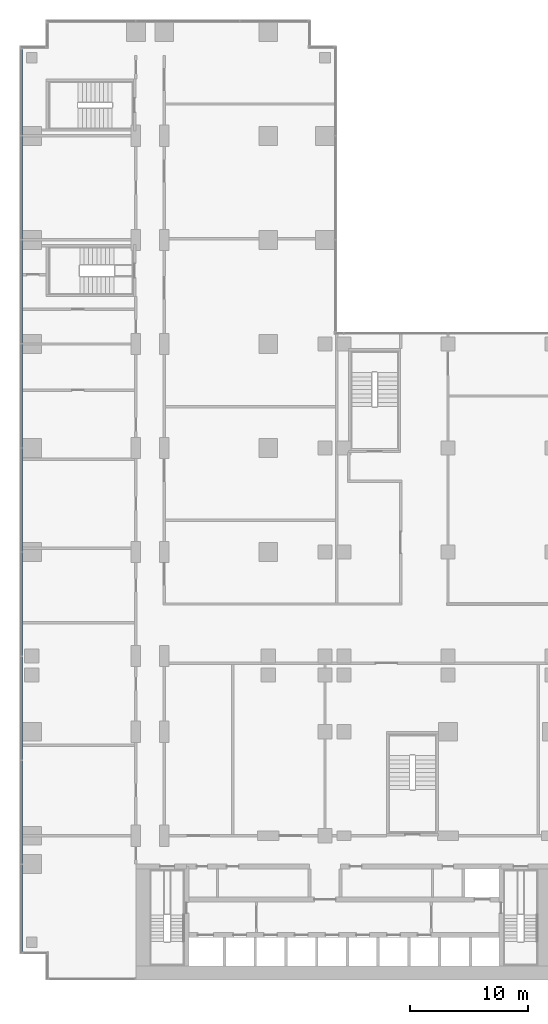
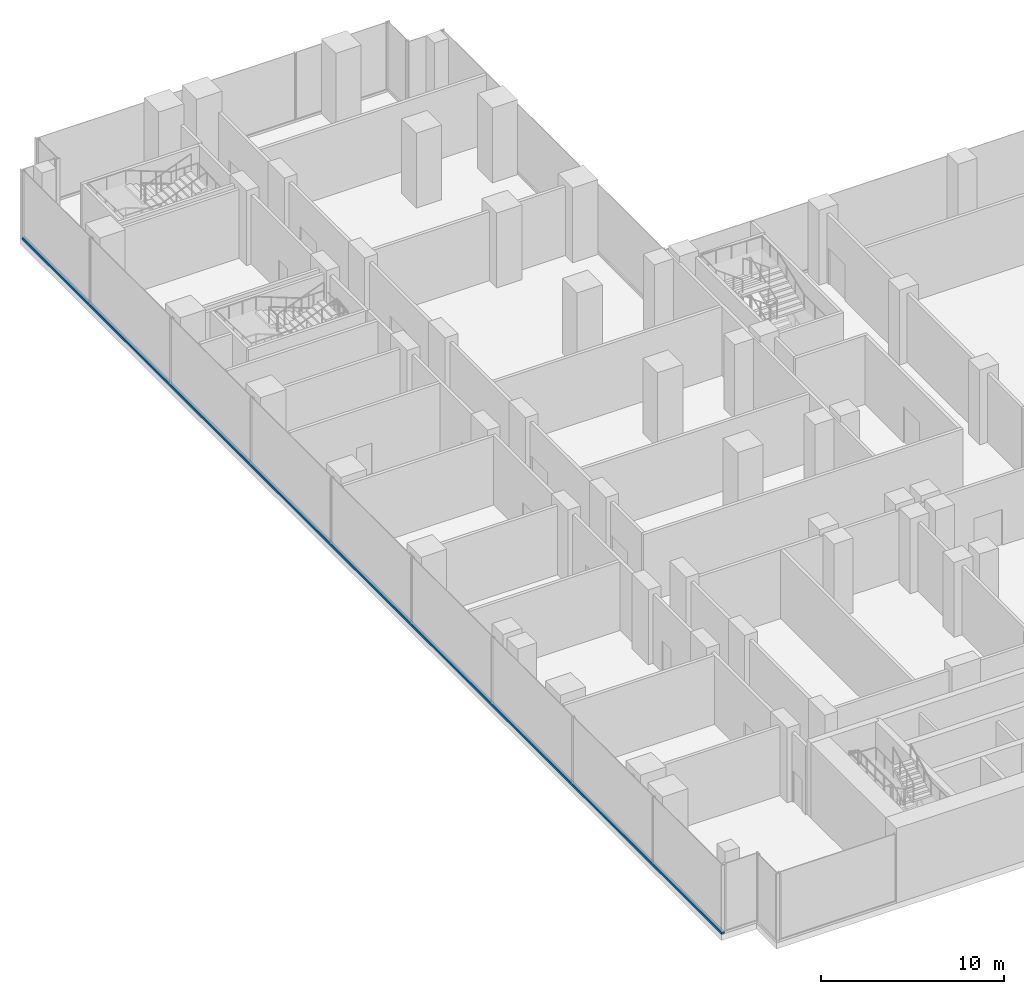
# One storey, part 6 of 30: 1 member, 1 element without a shape of its own.
"""IFC4 building model written with IfcOpenShell, lengths in metres."""

from ifc_helpers import new_model, si_unit, direction, frame, origin, origin_2d, place, context, subcontext, project, spatial, rectangle, extrude, material, material_profile, profile_set, type_object, element, aggregate, save


model = new_model("IFC4")

# Units and contexts
model_context = context("Model", 3, precision=1e-05, world=origin(), true_north=direction((0.0, 1.0)))
body_context = subcontext(model_context, "Body", "Model", "MODEL_VIEW")
ifc_project = project(units=[si_unit("LENGTHUNIT", "METRE"), si_unit("AREAUNIT", "SQUARE_METRE"), si_unit("VOLUMEUNIT", "CUBIC_METRE"), si_unit("PLANEANGLEUNIT", "RADIAN"), si_unit("MASSUNIT", "GRAM", prefix="KILO")], contexts=[model_context])

# Site, building, storey
site_placement = place(None, origin())
site = spatial("IfcSite", under=ifc_project, at=site_placement, CompositionType="ELEMENT")
building_placement = place(site_placement, origin())
building = spatial("IfcBuilding", under=site, at=building_placement, Name="Kemantara Hotel Tower", CompositionType="ELEMENT")
storey_placement = place(building_placement, frame((0.0, 0.0, 13.0)))
storey = spatial("IfcBuildingStorey", under=building, at=storey_placement, Name="L02", CompositionType="ELEMENT", Elevation=13.0)

# Curtain wall, member
ifc_material_1 = material(Name="Laminated tinted insulated glass 44 mm", Category="glass")
curtain_wall_type = type_object("IfcCurtainWallType", Name="PODIUM GLASS CURTAIN WALL", PredefinedType="USERDEFINED", material=ifc_material_1)
curtain_wall_placement = place(storey_placement, origin())
curtain_wall = element("IfcCurtainWall", 1, at=curtain_wall_placement, inside=storey, type_object=curtain_wall_type, Name="CW1 L02 POD-R16-1", ObjectType="PODIUM GLASS CURTAIN WALL", PredefinedType="USERDEFINED")
ifc_material_2 = material(Name="Aluminium 6063-T6 bronze anodised", Category="aluminium")
ifc_material_profile = material_profile(ifc_material_2, rectangle(XDim=0.199951171875, YDim=0.14990234375, at=origin_2d()), Name="PODIUM GLASS CURTAIN WALL TRANSOM")
ifc_profile_set = profile_set([ifc_material_profile], Name="Aluminium 6063-T6 bronze anodised")
member_type = type_object("IfcMemberType", Name="PODIUM GLASS CURTAIN WALL TRANSOM", PredefinedType="USERDEFINED", material=ifc_profile_set)
member_placement = place(storey_placement, frame((0.10009765625, 78.800048828125, 0.074951171875), z_axis=(0.0, -1.0, 0.0), x_axis=(1.0, 0.0, 0.0)))
member = element("IfcMember", 2, at=member_placement, type_object=member_type, Name="CW1 sill transom POD-R16-1", ObjectType="TRANSOM", PredefinedType="USERDEFINED", context=body_context, shape_type="SweptSolid", body=[
    extrude(rectangle(XDim=0.199951171875, YDim=0.14990234375, at=origin_2d()), origin(), (0.0, 0.0, 1.0), 76.60009765625),
])
aggregate(curtain_wall, [member])

save(model, "model.ifc")
